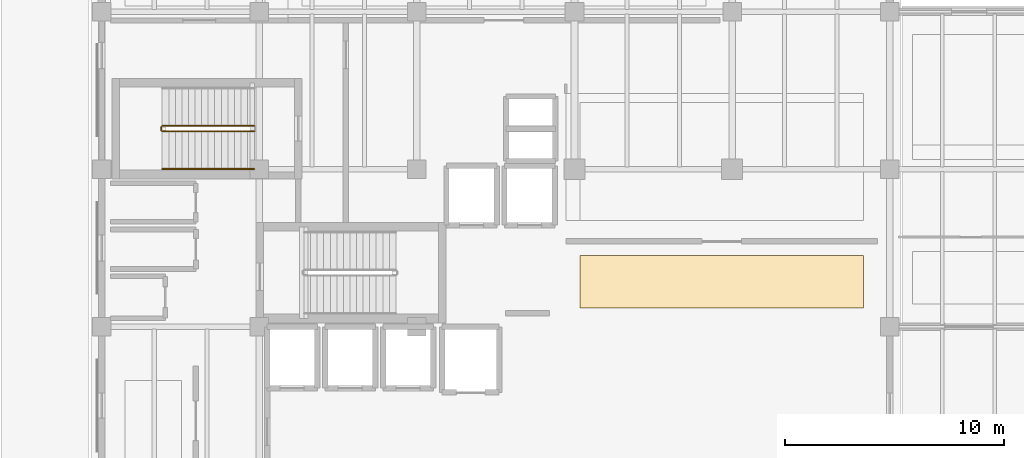
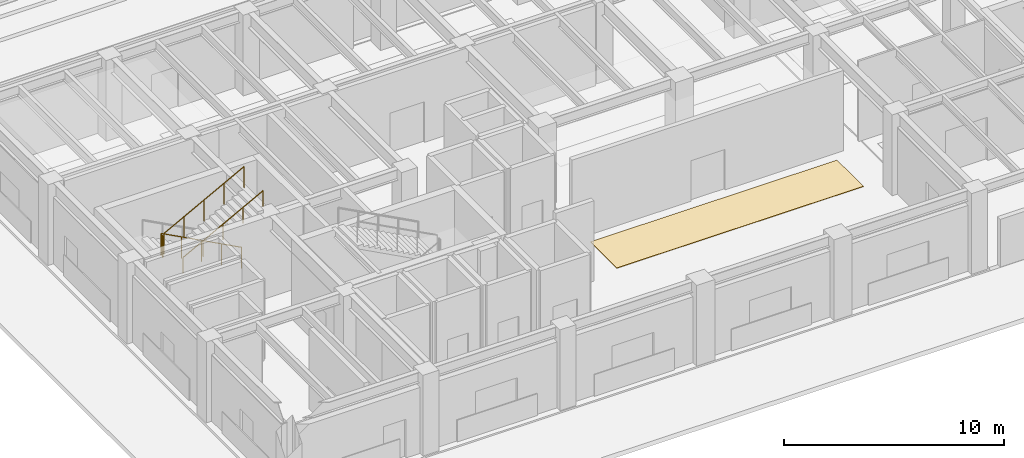
# One storey, part 32 of 39: 4 railings, 1 covering.
"""IFC4 building model written with IfcOpenShell, lengths in metres."""

from ifc_helpers import new_model, si_unit, direction, frame, origin, origin_2d, place, context, subcontext, project, spatial, polyline, circle, outline, extrude, material, layer, layer_set, type_object, element, save


model = new_model("IFC4")

# Units and contexts
model_context = context("Model", 3, precision=1e-05, world=origin(), true_north=direction((0.0, 1.0)))
body_context = subcontext(model_context, "Body", "Model", "MODEL_VIEW")
ifc_project = project(units=[si_unit("LENGTHUNIT", "METRE"), si_unit("AREAUNIT", "SQUARE_METRE"), si_unit("VOLUMEUNIT", "CUBIC_METRE"), si_unit("PLANEANGLEUNIT", "RADIAN"), si_unit("MASSUNIT", "GRAM", prefix="KILO")], contexts=[model_context])

# Site, building, storey
site_placement = place(None, origin())
site = spatial("IfcSite", under=ifc_project, at=site_placement, CompositionType="ELEMENT")
building_placement = place(site_placement, origin())
building = spatial("IfcBuilding", under=site, at=building_placement, Name="Kandorven Conservatory and Botanical Research Centre", CompositionType="ELEMENT")
storey_placement = place(building_placement, origin())
storey = spatial("IfcBuildingStorey", under=building, at=storey_placement, Name="L00", CompositionType="ELEMENT", Elevation=0.0)

# Covering
ifc_material_1 = material(Name="Honed Kota stone and epoxy laboratory flooring", Category="masonry")
ifc_layer = layer(ifc_material_1, 0.02490234375)
ifc_layer_set = layer_set([ifc_layer], Name="Honed Kota stone and epoxy laboratory flooring")
covering_type = type_object("IfcCoveringType", Name="Cov_Flooring_1", PredefinedType="FLOORING", material=ifc_layer_set)
covering_placement = place(storey_placement, origin())
element("IfcCovering", 1, at=covering_placement, inside=storey, type_object=covering_type, Name="Floor finish FLR-01 (Herbarium Mounting and Drying Room)", PredefinedType="FLOORING", context=body_context, shape_type="SweptSolid", body=[
    extrude(outline(polyline([(27.85009765625, 14.050048828125), (40.800048828125, 14.050048828125), (40.800048828125, 16.449951171875), (27.85009765625, 16.449951171875), (27.85009765625, 14.050048828125)])), origin(), (0.0, 0.0, 1.0), 0.02490234375),
])

# Railings
ifc_material_2 = material(Name="Steel S355 (IS 2062 E350)", Category="steel")
railing_type_1 = type_object("IfcRailingType", Name="StairGuard_1150", PredefinedType="BALUSTRADE", material=ifc_material_2)
railing_1_placement = place(storey_placement, frame((12.9599609375, 22.3798828125, 0.159912109375)))
element("IfcRailing", 2, at=railing_1_placement, inside=storey, type_object=railing_type_1, Name="L00 ST-T2 stair guard 1", PredefinedType="BALUSTRADE", context=body_context, shape_type="SweptSolid", body=[
    extrude(circle(Radius=0.02392578125, at=origin_2d()), frame((0.0, 0.0, 1.17578125), z_axis=(-0.882351521365, 0.0, 0.470590897432), x_axis=(0.0, -1.0, 0.0)), (0.0, 0.0, 1.0), 4.760009765625),
    extrude(circle(Radius=0.02099609375, at=origin_2d()), origin(), (0.0, 0.0, 1.0), 1.15185546875),
    extrude(circle(Radius=0.02099609375, at=origin_2d()), frame((-1.050048828125, 0.0, 0.56005859375)), (0.0, 0.0, 1.0), 1.15185546875),
    extrude(circle(Radius=0.02099609375, at=origin_2d()), frame((-2.10009765625, 0.0, 1.1201171875)), (0.0, 0.0, 1.0), 1.15185546875),
    extrude(circle(Radius=0.02099609375, at=origin_2d()), frame((-3.14990234375, 0.0, 1.679931640625)), (0.0, 0.0, 1.0), 1.15185546875),
    extrude(circle(Radius=0.02099609375, at=origin_2d()), frame((-4.199951171875, 0.0, 2.239990234375)), (0.0, 0.0, 1.0), 1.15185546875),
])
railing_2_placement = place(storey_placement, frame((8.7099609375, 22.330078125, 2.39990234375)))
element("IfcRailing", 3, at=railing_2_placement, inside=storey, type_object=railing_type_1, Name="L00 ST-T2 stair guard 2", PredefinedType="BALUSTRADE", context=body_context, shape_type="SweptSolid", body=[
    extrude(circle(Radius=0.02392578125, at=origin_2d()), frame((0.0, 0.0, 1.17578125), z_axis=(0.0, -1.0, 0.0), x_axis=(1.0, 0.0, 0.0)), (0.0, 0.0, 1.0), 0.150146484375),
    extrude(circle(Radius=0.02099609375, at=origin_2d()), origin(), (0.0, 0.0, 1.0), 1.15185546875),
    extrude(circle(Radius=0.02099609375, at=origin_2d()), frame((0.0, -0.150146484375, 0.0)), (0.0, 0.0, 1.0), 1.15185546875),
])
railing_3_placement = place(storey_placement, frame((8.760009765625, 22.1298828125, 2.56005859375)))
element("IfcRailing", 4, at=railing_3_placement, inside=storey, type_object=railing_type_1, Name="L00 ST-T2 stair guard 3", PredefinedType="BALUSTRADE", context=body_context, shape_type="SweptSolid", body=[
    extrude(circle(Radius=0.02392578125, at=origin_2d()), frame((0.0, 0.0, 1.17578125), z_axis=(0.882351521365, 0.0, 0.470590897432), x_axis=(0.0, 1.0, 0.0)), (0.0, 0.0, 1.0), 4.760009765625),
    extrude(circle(Radius=0.02099609375, at=origin_2d()), origin(), (0.0, 0.0, 1.0), 1.15185546875),
    extrude(circle(Radius=0.02099609375, at=origin_2d()), frame((1.050048828125, 0.0, 0.56005859375)), (0.0, 0.0, 1.0), 1.15185546875),
    extrude(circle(Radius=0.02099609375, at=origin_2d()), frame((2.10009765625, 0.0, 1.1201171875)), (0.0, 0.0, 1.0), 1.15185546875),
    extrude(circle(Radius=0.02099609375, at=origin_2d()), frame((3.14990234375, 0.0, 1.679931640625)), (0.0, 0.0, 1.0), 1.15185546875),
    extrude(circle(Radius=0.02099609375, at=origin_2d()), frame((4.199951171875, 0.0, 2.239990234375)), (0.0, 0.0, 1.0), 1.15185546875),
])
ifc_material_3 = material(Name="Steel S355 (IS 2062 E350)", Category="steel")
railing_type_2 = type_object("IfcRailingType", Name="StairHandrail_900", PredefinedType="HANDRAIL", material=ifc_material_3)
railing_4_placement = place(storey_placement, frame((8.760009765625, 20.409912109375, 2.56005859375)))
element("IfcRailing", 5, at=railing_4_placement, inside=storey, type_object=railing_type_2, Name="L00 ST-T2 stair handrail 2", PredefinedType="HANDRAIL", context=body_context, shape_type="SweptSolid", body=[
    extrude(circle(Radius=0.02392578125, at=origin_2d()), frame((0.0, 0.0, 0.8759765625), z_axis=(0.882351521365, 0.0, 0.470590897432), x_axis=(0.0, 1.0, 0.0)), (0.0, 0.0, 1.0), 4.760009765625),
    extrude(circle(Radius=0.02099609375, at=origin_2d()), origin(), (0.0, 0.0, 1.0), 0.851806640625),
    extrude(circle(Radius=0.02099609375, at=origin_2d()), frame((1.050048828125, 0.0, 0.56005859375)), (0.0, 0.0, 1.0), 0.851806640625),
    extrude(circle(Radius=0.02099609375, at=origin_2d()), frame((2.10009765625, 0.0, 1.1201171875)), (0.0, 0.0, 1.0), 0.851806640625),
    extrude(circle(Radius=0.02099609375, at=origin_2d()), frame((3.14990234375, 0.0, 1.679931640625)), (0.0, 0.0, 1.0), 0.851806640625),
    extrude(circle(Radius=0.02099609375, at=origin_2d()), frame((4.199951171875, 0.0, 2.239990234375)), (0.0, 0.0, 1.0), 0.851806640625),
])

save(model, "model.ifc")
